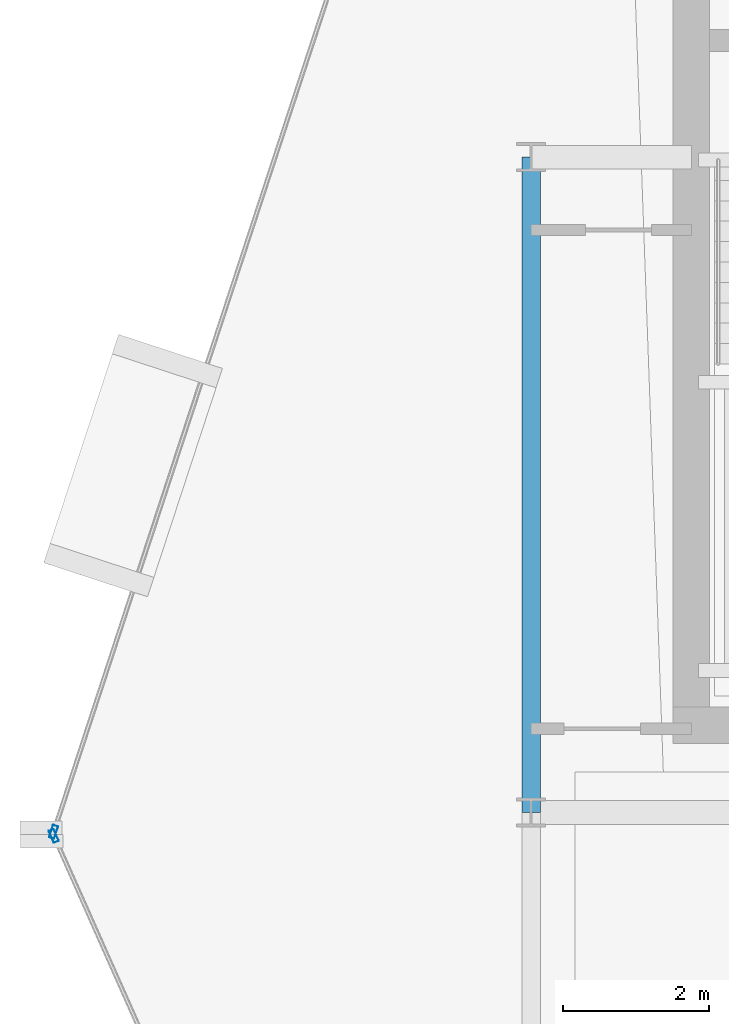
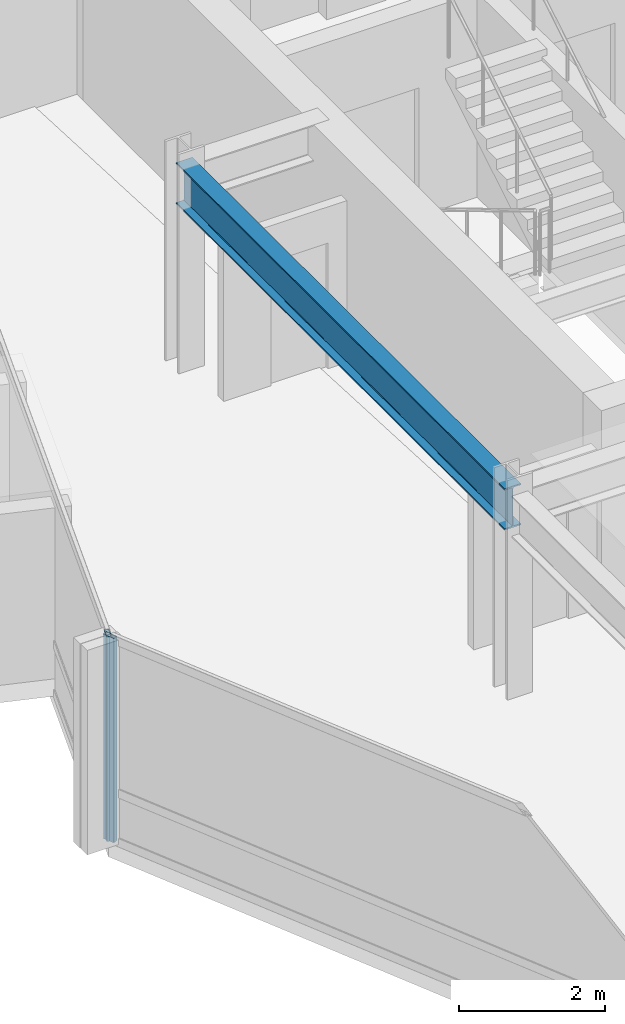
# One storey, part 6 of 28: 2 members, 1 beam, 2 elements without a shape of their own.
"""IFC4 building model written with IfcOpenShell, lengths in metres."""

import ifcopenshell
import ifcopenshell.guid

model = None  # the IFC model being written
_history = None  # IfcOwnerHistory: only IFC2X3 demands one
_inside = {}  # id of a spatial element -> (the spatial element, [elements in it])
_under = {}  # id of a project, library or spatial element -> (it, [spatial elements below it])
_declared = {}  # id of a project -> (the project, [libraries it declares])
_typed = {}  # id of a type object -> (the type object, [elements of that type])
_made_of = {}  # id of a material, layer set ... -> (it, [elements and type objects made of it])


def new_model(schema):
    """Start an empty IFC model of exactly this schema.

    Asked for "IFC4X3", IfcOpenShell would pick the latest addendum, in which some entities
    have other attributes; the version numbers below select the first issue.
    IFC2X3 requires an IfcOwnerHistory on every rooted entity: one is made here for all.
    """
    global model, _history
    if schema == "IFC4X3":
        model = ifcopenshell.file(schema_version=(4, 3, 0, 0))
    else:
        model = ifcopenshell.file(schema=schema)
    _inside.clear()
    _under.clear()
    _declared.clear()
    _typed.clear()
    _made_of.clear()
    _history = None
    if model.schema == "IFC2X3":
        org = make("IfcOrganization", Name="unknown")
        user = make(
            "IfcPersonAndOrganization",
            ThePerson=make("IfcPerson", FamilyName="unknown"),
            TheOrganization=org,
        )
        app = make(
            "IfcApplication",
            ApplicationDeveloper=org,
            Version="unknown",
            ApplicationFullName="unknown",
            ApplicationIdentifier="unknown",
        )
        _history = make(
            "IfcOwnerHistory",
            OwningUser=user,
            OwningApplication=app,
            ChangeAction="ADDED",
            CreationDate=0,
        )
    return model


def make(cls, **values):
    """One entity of the class cls with the attributes given. An attribute that is None is left unset."""
    return model.create_entity(
        cls, **{name: value for name, value in values.items() if value is not None}
    )


def rooted(cls, **values):
    """An entity with a GlobalId (a new one), such as an element, a storey or a relation."""
    return make(cls, GlobalId=ifcopenshell.guid.new(), OwnerHistory=_history, **values)


def si_unit(unit_type, name, prefix=None):
    """IfcSIUnit, for example si_unit("LENGTHUNIT", "METRE", prefix="MILLI")."""
    return make("IfcSIUnit", UnitType=unit_type, Prefix=prefix, Name=name)


def assignment(units):
    """IfcUnitAssignment: the units of a project."""
    return None if units is None else make("IfcUnitAssignment", Units=units)


def point(xyz):
    """IfcCartesianPoint."""
    return None if xyz is None else make("IfcCartesianPoint", Coordinates=xyz)


def direction(xyz):
    """IfcDirection."""
    return None if xyz is None else make("IfcDirection", DirectionRatios=xyz)


def frame(location, z_axis=None, x_axis=None):
    """IfcAxis2Placement3D, a coordinate frame: its origin and axes. An axis left out is left unset."""
    return make(
        "IfcAxis2Placement3D",
        Location=point(location),
        Axis=direction(z_axis),
        RefDirection=direction(x_axis),
    )


def frame_2d(location, x_axis=None):
    """IfcAxis2Placement2D, a coordinate frame in the plane: its origin and x axis."""
    return make(
        "IfcAxis2Placement2D", Location=point(location), RefDirection=direction(x_axis)
    )


def origin():
    """The frame at (0, 0, 0) with its axes left unset."""
    return frame((0.0, 0.0, 0.0))


def origin_2d():
    """The frame at (0, 0) in the plane with its x axis left unset."""
    return frame_2d((0.0, 0.0))


def place(relative_to, where):
    """IfcLocalPlacement: puts the frame where relative to a parent placement (None: the world)."""
    return make(
        "IfcLocalPlacement", PlacementRelTo=relative_to, RelativePlacement=where
    )


def context(
    kind, dimensions, precision=None, world=None, true_north=None, identifier=None
):
    """IfcGeometricRepresentationContext, for example the 3D "Model" context."""
    return make(
        "IfcGeometricRepresentationContext",
        ContextIdentifier=identifier,
        ContextType=kind,
        CoordinateSpaceDimension=dimensions,
        Precision=precision,
        WorldCoordinateSystem=world,
        TrueNorth=true_north,
    )


def subcontext(parent, identifier, kind, view, scale=None):
    """IfcGeometricRepresentationSubContext, for example "Body" below "Model"."""
    return make(
        "IfcGeometricRepresentationSubContext",
        ContextIdentifier=identifier,
        ContextType=kind,
        ParentContext=parent,
        TargetScale=scale,
        TargetView=view,
    )


def project(units=None, contexts=None):
    """IfcProject with its units and contexts."""
    return rooted(
        "IfcProject",
        Name="project",
        RepresentationContexts=contexts,
        UnitsInContext=assignment(units),
    )


def spatial(cls, under=None, at=None, **own):
    """A site, building, storey or space (cls), placed at a placement, below another one or the project."""
    s = rooted(cls, ObjectPlacement=at, **own)
    if under is not None:
        _under.setdefault(under.id(), (under, []))[1].append(s)
    return s


def profile(cls, at=None, kind="AREA", **sizes):
    """A parametric profile (cls). Its sizes go by their IFC names, for example OverallWidth=200.0."""
    return make(cls, ProfileType=kind, Position=at, **sizes)


def hollow_rectangle(**sizes):
    """IfcRectangleHollowProfileDef."""
    return profile("IfcRectangleHollowProfileDef", **sizes)


def i_section(**sizes):
    """IfcIShapeProfileDef."""
    return profile("IfcIShapeProfileDef", **sizes)


def extrude(swept, where, along, depth):
    """IfcExtrudedAreaSolid: the profile swept, set in the frame where, extruded along a direction by depth."""
    return make(
        "IfcExtrudedAreaSolid",
        SweptArea=swept,
        Position=where,
        ExtrudedDirection=direction(along),
        Depth=depth,
    )


def shape(context_of_items, identifier, shape_type, items):
    """IfcShapeRepresentation: the items that make up one representation, for example the "Body"."""
    return make(
        "IfcShapeRepresentation",
        ContextOfItems=context_of_items,
        RepresentationIdentifier=identifier,
        RepresentationType=shape_type,
        Items=items,
    )


def material(Name=None, Category=None):
    """IfcMaterial."""
    return make("IfcMaterial", Name=Name, Category=Category)


def layer(
    of_material, thickness, ventilated=None, Name=None, Category=None, Priority=None
):
    """IfcMaterialLayer: one layer of a wall or slab, of a material (None: an air gap)."""
    return make(
        "IfcMaterialLayer",
        Material=of_material,
        LayerThickness=thickness,
        IsVentilated=ventilated,
        Name=Name,
        Category=Category,
        Priority=Priority,
    )


def layer_set(layers, Name=None):
    """IfcMaterialLayerSet."""
    return make("IfcMaterialLayerSet", MaterialLayers=layers, LayerSetName=Name)


def material_profile(
    of_material, cross_section, Name=None, Category=None, Priority=None
):
    """IfcMaterialProfile: a cross section and its material."""
    return make(
        "IfcMaterialProfile",
        Name=Name,
        Material=of_material,
        Profile=cross_section,
        Priority=Priority,
        Category=Category,
    )


def profile_set(profiles, Name=None, composite=None):
    """IfcMaterialProfileSet."""
    return make(
        "IfcMaterialProfileSet",
        Name=Name,
        MaterialProfiles=profiles,
        CompositeProfile=composite,
    )


def made_of(thing, what):
    """Note that an element or type object is made of a material, layer set ...; save() writes the relation."""
    if what is not None:
        _made_of.setdefault(what.id(), (what, []))[1].append(thing)
    return thing


def type_object(cls, material=None, **own):
    """A type object (cls), such as IfcWallType, which elements share."""
    return made_of(rooted(cls, **own), material)


def element(
    cls,
    number,
    at=None,
    inside=None,
    cuts=None,
    type_object=None,
    material=None,
    context=None,
    identifier="Body",
    shape_type=None,
    held_by="IfcProductDefinitionShape",
    body=None,
    shapes=None,
    **own,
):
    """One element of the class cls, such as IfcWall. Its Tag is "e" and its number.

    at: its placement. inside: the storey or other place that contains it. cuts: it is an
    opening in that element (IfcRelVoidsElement). A single representation is given by context,
    identifier, shape_type and body (its items); several are given by shapes. held_by: the class
    of the entity that holds the representations. save() writes the other relations.
    """
    e = rooted(cls, Tag="e%d" % number, ObjectPlacement=at, **own)
    if body is not None:
        shapes = [shape(context, identifier, shape_type, body)]
    if shapes is not None:
        e.Representation = make(held_by, Representations=shapes)
    if inside is not None:
        _inside.setdefault(inside.id(), (inside, []))[1].append(e)
    if cuts is not None:
        rooted(
            "IfcRelVoidsElement", RelatingBuildingElement=cuts, RelatedOpeningElement=e
        )
    if type_object is not None:
        _typed.setdefault(type_object.id(), (type_object, []))[1].append(e)
    return made_of(e, material)


def aggregate(whole, parts):
    """IfcRelAggregates: a whole, such as a stair, and the parts it consists of."""
    return rooted("IfcRelAggregates", RelatingObject=whole, RelatedObjects=parts)


def save(model, path):
    """Write the relations noted so far, then the file.

    IfcRelAggregates (storeys below a building ...), IfcRelContainedInSpatialStructure (elements
    in a storey), IfcRelDefinesByType, IfcRelAssociatesMaterial and IfcRelDeclares: one each for
    every whole, place, type object, material and project.
    """
    for whole, parts in _under.values():
        aggregate(whole, parts)
    for where, things in _inside.values():
        rooted(
            "IfcRelContainedInSpatialStructure",
            RelatedElements=things,
            RelatingStructure=where,
        )
    for kind, things in _typed.values():
        rooted("IfcRelDefinesByType", RelatedObjects=things, RelatingType=kind)
    for what, things in _made_of.values():
        rooted("IfcRelAssociatesMaterial", RelatedObjects=things, RelatingMaterial=what)
    for by, libraries in _declared.values():
        rooted("IfcRelDeclares", RelatingContext=by, RelatedDefinitions=libraries)
    model.write(path)


model = new_model("IFC4")

# Units and contexts
model_context = context("Model", 3, precision=1e-05, world=origin(), true_north=direction((0.0, 1.0)))
body_context = subcontext(model_context, "Body", "Model", "MODEL_VIEW")
ifc_project = project(units=[si_unit("LENGTHUNIT", "METRE"), si_unit("AREAUNIT", "SQUARE_METRE"), si_unit("VOLUMEUNIT", "CUBIC_METRE"), si_unit("PLANEANGLEUNIT", "RADIAN"), si_unit("MASSUNIT", "GRAM", prefix="KILO")], contexts=[model_context])

# Site, building, storey
site_placement = place(None, origin())
site = spatial("IfcSite", under=ifc_project, at=site_placement, CompositionType="ELEMENT")
building_placement = place(site_placement, origin())
building = spatial("IfcBuilding", under=site, at=building_placement, Name="Solvaryn Broadcast Tower", CompositionType="ELEMENT")
storey_placement = place(building_placement, frame((0.0, 0.0, 217.300048828125)))
storey = spatial("IfcBuildingStorey", under=building, at=storey_placement, Name="L54", CompositionType="ELEMENT", Elevation=217.300048828125)

# Beam
ifc_material_1 = material(Name="Steel ASTM A992 Grade 50", Category="steel")
ifc_material_profile_1 = material_profile(ifc_material_1, i_section(OverallWidth=0.256103515625, OverallDepth=0.693115234375, WebThickness=0.014404296875, FlangeThickness=0.023681640625, FilletRadius=0.01611328125, at=origin_2d()))
ifc_profile_set_1 = profile_set([ifc_material_profile_1], Name="Steel ASTM A992 Grade 50")
beam_type = type_object("IfcBeamType", Name="BM-SP3-W27X114", PredefinedType="USERDEFINED", material=ifc_profile_set_1)
beam_placement = place(storey_placement, frame((9.0, 27.0, 3.073486328125), z_axis=(0.0, 1.0, 0.0), x_axis=(-1.0, 0.0, 0.0)))
element("IfcBeam", 1, at=beam_placement, inside=storey, type_object=beam_type, Name="L54 Spandrel Beam Y (27-36 @ X=9)", ObjectType="SPANDREL", PredefinedType="USERDEFINED", context=body_context, shape_type="SweptSolid", body=[
    extrude(i_section(OverallWidth=0.256103515625, OverallDepth=0.693115234375, WebThickness=0.014404296875, FlangeThickness=0.023681640625, FilletRadius=0.01611328125, at=origin_2d()), origin(), (0.0, 0.0, 1.0), 9.0),
])

# Curtain wall, member
ifc_material_2 = material(Name="Aluminium and Terracotta Unitised Curtain Wall", Category="masonry")
ifc_layer = layer(ifc_material_2, 0.199951171875)
ifc_layer_set = layer_set([ifc_layer], Name="CW-SYS2-LOWMID")
curtain_wall_type = type_object("IfcCurtainWallType", Name="CW-SYS2-LOWMID", PredefinedType="NOTDEFINED", material=ifc_layer_set)
curtain_wall_1_placement = place(storey_placement, origin())
curtain_wall_1 = element("IfcCurtainWall", 2, at=curtain_wall_1_placement, inside=storey, type_object=curtain_wall_type, Name="L54 Curtain Wall DR1", PredefinedType="NOTDEFINED")
ifc_material_3 = material(Name="Anodised Aluminium 6063-T6", Category="aluminium")
ifc_material_profile_2 = material_profile(ifc_material_3, hollow_rectangle(XDim=0.074951171875, YDim=0.179931640625, WallThickness=0.00390625, InnerFilletRadius=0.00390625, OuterFilletRadius=0.008056640625, at=origin_2d()))
ifc_profile_set_2 = profile_set([ifc_material_profile_2], Name="Anodised Aluminium 6063-T6")
member_type = type_object("IfcMemberType", Name="CW-MUL-180", PredefinedType="MULLION", material=ifc_profile_set_2)
member_1_placement = place(storey_placement, frame((2.4423828125, 26.734619140625, 0.0), z_axis=(0.0, 0.0, 1.0), x_axis=(0.950226902099, -0.311558717623, 0.0)))
member_1 = element("IfcMember", 3, at=member_1_placement, type_object=member_type, Name="CWS2 mullion 2", PredefinedType="MULLION", context=body_context, shape_type="SweptSolid", body=[
    extrude(hollow_rectangle(XDim=0.074951171875, YDim=0.179931640625, WallThickness=0.00390625, InnerFilletRadius=0.00390625, OuterFilletRadius=0.008056640625, at=origin_2d()), origin(), (0.0, 0.0, 1.0), 3.419921875),
])
aggregate(curtain_wall_1, [member_1])

curtain_wall_2_placement = place(storey_placement, origin())
curtain_wall_2 = element("IfcCurtainWall", 4, at=curtain_wall_2_placement, inside=storey, type_object=curtain_wall_type, Name="L54 Curtain Wall DR2", PredefinedType="NOTDEFINED")
member_2_placement = place(storey_placement, frame((2.445068359375, 26.678466796875, 0.0), z_axis=(0.0, 0.0, 1.0), x_axis=(0.913916902365, 0.405901337237, 0.0)))
member_2 = element("IfcMember", 5, at=member_2_placement, type_object=member_type, Name="CWS2 mullion 1", PredefinedType="MULLION", context=body_context, shape_type="SweptSolid", body=[
    extrude(hollow_rectangle(XDim=0.074951171875, YDim=0.179931640625, WallThickness=0.00390625, InnerFilletRadius=0.00390625, OuterFilletRadius=0.008056640625, at=origin_2d()), origin(), (0.0, 0.0, 1.0), 3.419921875),
])
aggregate(curtain_wall_2, [member_2])

save(model, "model.ifc")
